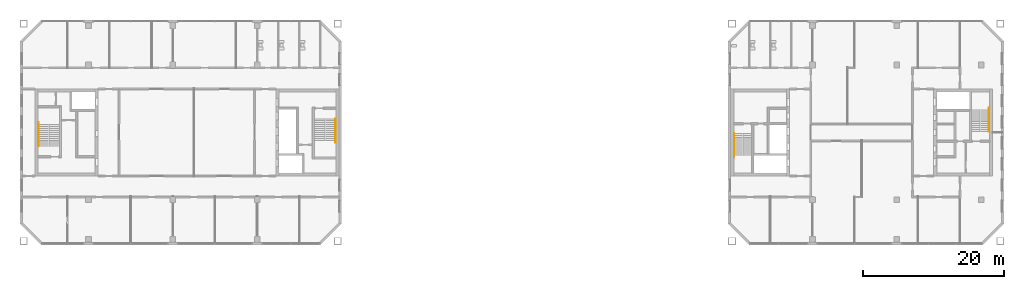
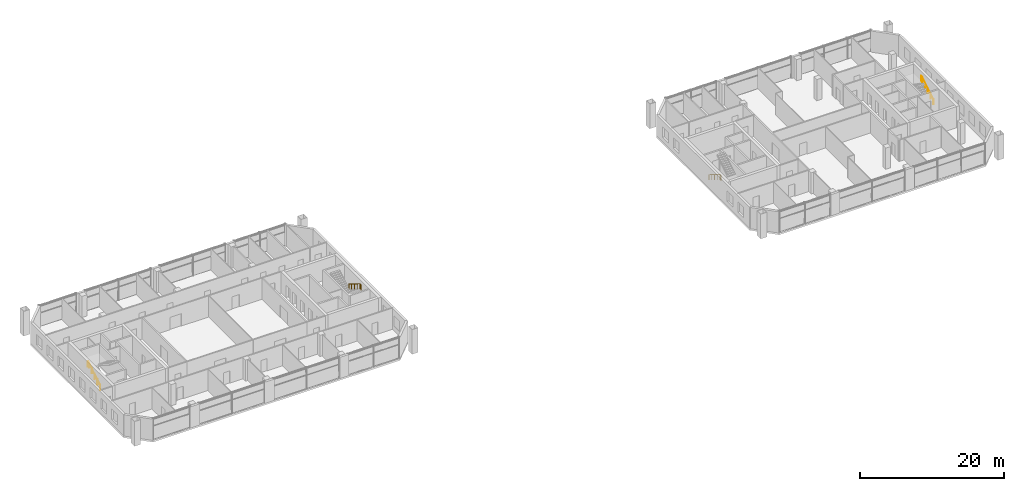
# One storey, part 18 of 19: 4 railings.
"""IFC4 building model written with IfcOpenShell, lengths in metres."""

from ifc_helpers import new_model, si_unit, direction, frame, origin, origin_2d, place, context, subcontext, project, spatial, circle, extrude, material, type_object, element, save


model = new_model("IFC4")

# Units and contexts
model_context = context("Model", 3, precision=1e-05, world=origin(), true_north=direction((0.0, 1.0)))
body_context = subcontext(model_context, "Body", "Model", "MODEL_VIEW")
ifc_project = project(units=[si_unit("LENGTHUNIT", "METRE"), si_unit("AREAUNIT", "SQUARE_METRE"), si_unit("VOLUMEUNIT", "CUBIC_METRE"), si_unit("PLANEANGLEUNIT", "RADIAN"), si_unit("MASSUNIT", "GRAM", prefix="KILO")], contexts=[model_context])

# Site, building, storey
site_placement = place(None, origin())
site = spatial("IfcSite", under=ifc_project, at=site_placement, CompositionType="ELEMENT")
building_placement = place(site_placement, origin())
building = spatial("IfcBuilding", under=site, at=building_placement, Name="Tuart Gate Housing", CompositionType="ELEMENT")
storey_placement = place(building_placement, frame((0.0, 0.0, 171.60009765625)))
storey = spatial("IfcBuildingStorey", under=building, at=storey_placement, Name="L48", CompositionType="ELEMENT", Elevation=171.60009765625)

# Railings
ifc_material = material(Name="Stainless steel", Category="steel")
railing_type = type_object("IfcRailingType", Name="Stair handrail 900", PredefinedType="HANDRAIL", material=ifc_material)
railing_1_placement = place(storey_placement, frame((75.1298828125, 71.949951171875, 0.1748046875)))
element("IfcRailing", 1, at=railing_1_placement, inside=storey, type_object=railing_type, Name="Stair handrail SA1.1", PredefinedType="HANDRAIL", context=body_context, shape_type="SweptSolid", body=[
    extrude(circle(Radius=0.02392578125, at=origin_2d()), frame((0.0, 0.0, 0.8759765625), z_axis=(0.0, -0.847979421464, 0.530029150871), x_axis=(1.0, 0.0, 0.0)), (0.0, 0.0, 1.0), 3.632080078125),
    extrude(circle(Radius=0.02392578125, at=origin_2d()), frame((0.0, -3.079833984375, 2.80078125), z_axis=(0.0, -1.0, 0.0), x_axis=(1.0, 0.0, 0.0)), (0.0, 0.0, 1.0), 0.300048828125),
    extrude(circle(Radius=0.02099609375, at=origin_2d()), origin(), (0.0, 0.0, 1.0), 0.851806640625),
    extrude(circle(Radius=0.02099609375, at=origin_2d()), frame((0.0, -0.77001953125, 0.481201171875)), (0.0, 0.0, 1.0), 0.851806640625),
    extrude(circle(Radius=0.02099609375, at=origin_2d()), frame((0.0, -1.5400390625, 0.96240234375)), (0.0, 0.0, 1.0), 0.851806640625),
    extrude(circle(Radius=0.02099609375, at=origin_2d()), frame((0.0, -2.309814453125, 1.44384765625)), (0.0, 0.0, 1.0), 0.851806640625),
    extrude(circle(Radius=0.02099609375, at=origin_2d()), frame((0.0, -3.079833984375, 1.925048828125)), (0.0, 0.0, 1.0), 0.851806640625),
    extrude(circle(Radius=0.02099609375, at=origin_2d()), frame((0.0, -3.3798828125, 1.925048828125)), (0.0, 0.0, 1.0), 0.851806640625),
])
railing_2_placement = place(storey_placement, frame((32.8701171875, 68.050048828125, 0.1748046875)))
element("IfcRailing", 2, at=railing_2_placement, inside=storey, type_object=railing_type, Name="Stair handrail SA2.1", PredefinedType="HANDRAIL", context=body_context, shape_type="SweptSolid", body=[
    extrude(circle(Radius=0.02392578125, at=origin_2d()), frame((0.0, 0.0, 0.8759765625), z_axis=(0.0, 0.847979421464, 0.530029150871), x_axis=(-1.0, 0.0, 0.0)), (0.0, 0.0, 1.0), 3.632080078125),
    extrude(circle(Radius=0.02392578125, at=origin_2d()), frame((0.0, 3.079833984375, 2.80078125), z_axis=(0.0, 1.0, 0.0), x_axis=(-1.0, 0.0, 0.0)), (0.0, 0.0, 1.0), 0.300048828125),
    extrude(circle(Radius=0.02099609375, at=origin_2d()), origin(), (0.0, 0.0, 1.0), 0.851806640625),
    extrude(circle(Radius=0.02099609375, at=origin_2d()), frame((0.0, 0.77001953125, 0.481201171875)), (0.0, 0.0, 1.0), 0.851806640625),
    extrude(circle(Radius=0.02099609375, at=origin_2d()), frame((0.0, 1.5400390625, 0.96240234375)), (0.0, 0.0, 1.0), 0.851806640625),
    extrude(circle(Radius=0.02099609375, at=origin_2d()), frame((0.0, 2.309814453125, 1.44384765625)), (0.0, 0.0, 1.0), 0.851806640625),
    extrude(circle(Radius=0.02099609375, at=origin_2d()), frame((0.0, 3.079833984375, 1.925048828125)), (0.0, 0.0, 1.0), 0.851806640625),
    extrude(circle(Radius=0.02099609375, at=origin_2d()), frame((0.0, 3.3798828125, 1.925048828125)), (0.0, 0.0, 1.0), 0.851806640625),
])
railing_3_placement = place(storey_placement, frame((131.8701171875, 69.875, 0.1748046875)))
element("IfcRailing", 3, at=railing_3_placement, inside=storey, type_object=railing_type, Name="Stair handrail SB1.1", PredefinedType="HANDRAIL", context=body_context, shape_type="SweptSolid", body=[
    extrude(circle(Radius=0.02392578125, at=origin_2d()), frame((0.0, 0.0, 0.8759765625), z_axis=(0.0, -0.847998304005, 0.529998940003), x_axis=(1.0, 0.0, 0.0)), (0.0, 0.0, 1.0), 3.632080078125),
    extrude(circle(Radius=0.02392578125, at=origin_2d()), frame((0.0, -3.080078125, 2.80078125), z_axis=(0.0, -1.0, 0.0), x_axis=(1.0, 0.0, 0.0)), (0.0, 0.0, 1.0), 0.2998046875),
    extrude(circle(Radius=0.02099609375, at=origin_2d()), origin(), (0.0, 0.0, 1.0), 0.851806640625),
    extrude(circle(Radius=0.02099609375, at=origin_2d()), frame((0.0, -0.77001953125, 0.481201171875)), (0.0, 0.0, 1.0), 0.851806640625),
    extrude(circle(Radius=0.02099609375, at=origin_2d()), frame((0.0, -1.5400390625, 0.96240234375)), (0.0, 0.0, 1.0), 0.851806640625),
    extrude(circle(Radius=0.02099609375, at=origin_2d()), frame((0.0, -2.31005859375, 1.44384765625)), (0.0, 0.0, 1.0), 0.851806640625),
    extrude(circle(Radius=0.02099609375, at=origin_2d()), frame((0.0, -3.080078125, 1.925048828125)), (0.0, 0.0, 1.0), 0.851806640625),
    extrude(circle(Radius=0.02099609375, at=origin_2d()), frame((0.0, -3.3798828125, 1.925048828125)), (0.0, 0.0, 1.0), 0.851806640625),
])
railing_4_placement = place(storey_placement, frame((168.1298828125, 70.125, 0.1748046875)))
element("IfcRailing", 4, at=railing_4_placement, inside=storey, type_object=railing_type, Name="Stair handrail SB2.1", PredefinedType="HANDRAIL", context=body_context, shape_type="SweptSolid", body=[
    extrude(circle(Radius=0.02392578125, at=origin_2d()), frame((0.0, 0.0, 0.8759765625), z_axis=(0.0, 0.847998304005, 0.529998940003), x_axis=(-1.0, 0.0, 0.0)), (0.0, 0.0, 1.0), 3.632080078125),
    extrude(circle(Radius=0.02392578125, at=origin_2d()), frame((0.0, 3.080078125, 2.80078125), z_axis=(0.0, 1.0, 0.0), x_axis=(-1.0, 0.0, 0.0)), (0.0, 0.0, 1.0), 0.2998046875),
    extrude(circle(Radius=0.02099609375, at=origin_2d()), origin(), (0.0, 0.0, 1.0), 0.851806640625),
    extrude(circle(Radius=0.02099609375, at=origin_2d()), frame((0.0, 0.77001953125, 0.481201171875)), (0.0, 0.0, 1.0), 0.851806640625),
    extrude(circle(Radius=0.02099609375, at=origin_2d()), frame((0.0, 1.5400390625, 0.96240234375)), (0.0, 0.0, 1.0), 0.851806640625),
    extrude(circle(Radius=0.02099609375, at=origin_2d()), frame((0.0, 2.31005859375, 1.44384765625)), (0.0, 0.0, 1.0), 0.851806640625),
    extrude(circle(Radius=0.02099609375, at=origin_2d()), frame((0.0, 3.080078125, 1.925048828125)), (0.0, 0.0, 1.0), 0.851806640625),
    extrude(circle(Radius=0.02099609375, at=origin_2d()), frame((0.0, 3.3798828125, 1.925048828125)), (0.0, 0.0, 1.0), 0.851806640625),
])

save(model, "model.ifc")
